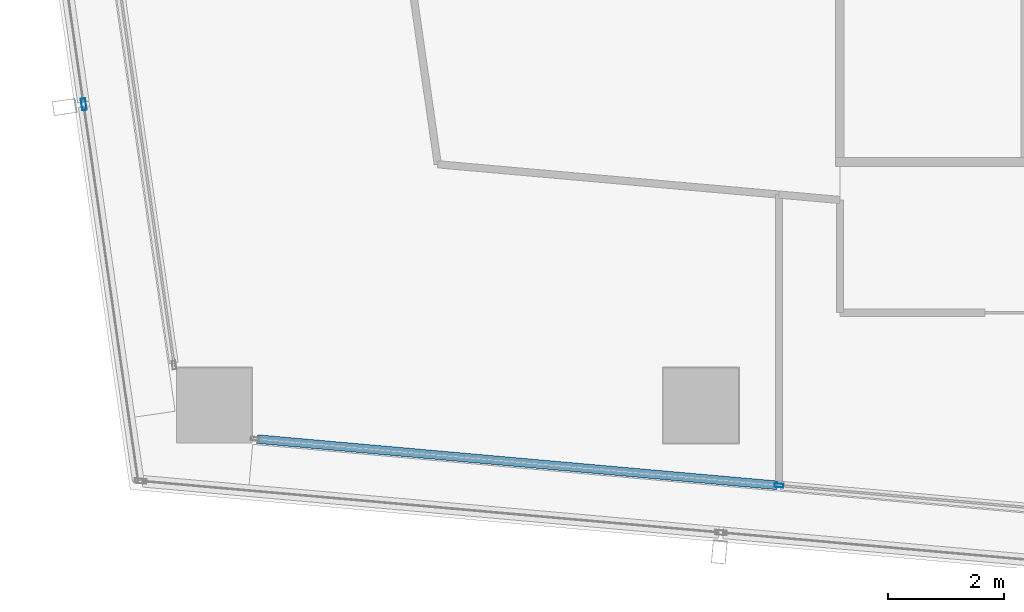
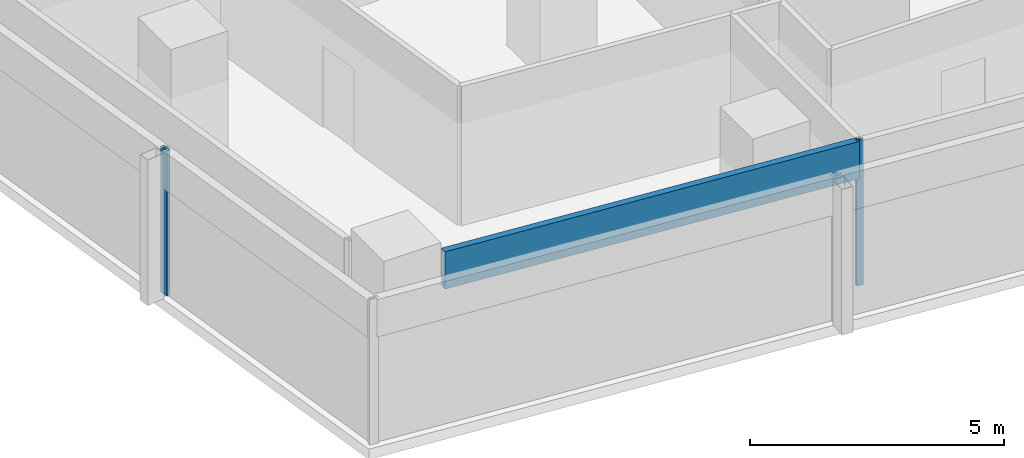
# One storey, part 3 of 30: 3 members, 2 elements without a shape of their own.
"""IFC4 building model written with IfcOpenShell, lengths in metres."""

from ifc_helpers import new_model, si_unit, direction, frame, origin, origin_2d, place, context, subcontext, project, spatial, hollow_rectangle, extrude, material, material_profile, profile_set, type_object, element, aggregate, save


model = new_model("IFC4")

# Units and contexts
model_context = context("Model", 3, precision=1e-05, world=origin(), true_north=direction((0.0, 1.0)))
body_context = subcontext(model_context, "Body", "Model", "MODEL_VIEW")
ifc_project = project(units=[si_unit("LENGTHUNIT", "METRE"), si_unit("AREAUNIT", "SQUARE_METRE"), si_unit("VOLUMEUNIT", "CUBIC_METRE"), si_unit("PLANEANGLEUNIT", "RADIAN"), si_unit("MASSUNIT", "GRAM", prefix="KILO")], contexts=[model_context])

# Site, building, storey
site_placement = place(None, origin())
site = spatial("IfcSite", under=ifc_project, at=site_placement, CompositionType="ELEMENT")
building_placement = place(site_placement, origin())
building = spatial("IfcBuilding", under=site, at=building_placement, Name="Rekha Terrace Tower", CompositionType="ELEMENT")
storey_placement = place(building_placement, frame((0.0, 0.0, 265.10009765625)))
storey = spatial("IfcBuildingStorey", under=building, at=storey_placement, Name="L67", CompositionType="ELEMENT", Elevation=265.10009765625)

# Curtain wall, members
ifc_material_1 = material(Name="Aluminium framing", Category="aluminium")
curtain_wall_type_1 = type_object("IfcCurtainWallType", Name="CW1 double skin inner glazing", PredefinedType="USERDEFINED", material=ifc_material_1)
curtain_wall_1_placement = place(storey_placement, origin())
curtain_wall_1 = element("IfcCurtainWall", 1, at=curtain_wall_1_placement, inside=storey, type_object=curtain_wall_type_1, Name="CW1 double skin inner glazing", ObjectType="DOUBLE SKIN INNER GLAZING", PredefinedType="USERDEFINED")
ifc_material_2 = material(Name="Aluminium mullion section", Category="aluminium")
ifc_material_profile_1 = material_profile(ifc_material_2, hollow_rectangle(XDim=0.06494140625, YDim=0.14990234375, WallThickness=0.00390625, at=origin_2d()), Name="AL RHS 65x150")
ifc_profile_set_1 = profile_set([ifc_material_profile_1], Name="Aluminium mullion section")
member_type_1 = type_object("IfcMemberType", Name="CW1 mullion RHS 65 x 150", PredefinedType="MULLION", material=ifc_profile_set_1)
member_1_placement = place(storey_placement, frame((18.1494140625, 15.4189453125, 0.0), z_axis=(0.0, 0.0, 1.0), x_axis=(0.088522441405, 0.996074182663, 0.0)))
member_1 = element("IfcMember", 2, at=member_1_placement, type_object=member_type_1, Name="CW1 mullion 2", PredefinedType="MULLION", context=body_context, shape_type="SweptSolid", body=[
    extrude(hollow_rectangle(XDim=0.06494140625, YDim=0.14990234375, WallThickness=0.00390625, at=origin_2d()), origin(), (0.0, 0.0, 1.0), 3.5),
])
ifc_material_3 = material(Name="Insulated aluminium spandrel box", Category="aluminium")
ifc_material_profile_2 = material_profile(ifc_material_3, hollow_rectangle(XDim=0.14990234375, YDim=0.89990234375, WallThickness=0.0029296875, at=origin_2d()), Name="AL SPANDREL BOX 150x900")
ifc_profile_set_2 = profile_set([ifc_material_profile_2], Name="Insulated aluminium spandrel box")
member_type_2 = type_object("IfcMemberType", Name="CW1 spandrel transom 150 x 900", PredefinedType="USERDEFINED", material=ifc_profile_set_2)
member_2_placement = place(storey_placement, frame((9.1416015625, 16.219482421875, 3.0498046875), z_axis=(0.996072428294, -0.088542179732, 0.0), x_axis=(0.088542179732, 0.996072428294, 0.0)))
member_2 = element("IfcMember", 3, at=member_2_placement, type_object=member_type_2, Name="CW1 spandrel transom 1", ObjectType="TRANSOM", PredefinedType="USERDEFINED", context=body_context, shape_type="SweptSolid", body=[
    extrude(hollow_rectangle(XDim=0.14990234375, YDim=0.89990234375, WallThickness=0.0029296875, at=origin_2d()), origin(), (0.0, 0.0, 1.0), 9.010986328125),
])
aggregate(curtain_wall_1, [member_1, member_2])

# Curtain wall, member
curtain_wall_type_2 = type_object("IfcCurtainWallType", Name="CW2 double skin outer glazing", PredefinedType="USERDEFINED", material=ifc_material_1)
curtain_wall_2_placement = place(storey_placement, origin())
curtain_wall_2 = element("IfcCurtainWall", 4, at=curtain_wall_2_placement, inside=storey, type_object=curtain_wall_type_2, Name="CW2 double skin outer glazing", ObjectType="DOUBLE SKIN OUTER GLAZING", PredefinedType="USERDEFINED")
ifc_material_profile_3 = material_profile(ifc_material_2, hollow_rectangle(XDim=0.080078125, YDim=0.199951171875, WallThickness=0.00390625, at=origin_2d()), Name="AL RHS 80x200")
ifc_profile_set_3 = profile_set([ifc_material_profile_3], Name="Aluminium mullion section")
member_type_3 = type_object("IfcMemberType", Name="CW2 mullion RHS 80 x 200", PredefinedType="MULLION", material=ifc_profile_set_3)
member_3_placement = place(storey_placement, frame((6.150634765625, 21.99658203125, 0.0), z_axis=(0.0, 0.0, 1.0), x_axis=(0.989707031389, 0.143108322678, 0.0)))
member_3 = element("IfcMember", 5, at=member_3_placement, type_object=member_type_3, Name="CW2 mullion 2", PredefinedType="MULLION", context=body_context, shape_type="SweptSolid", body=[
    extrude(hollow_rectangle(XDim=0.080078125, YDim=0.199951171875, WallThickness=0.00390625, at=origin_2d()), origin(), (0.0, 0.0, 1.0), 3.5),
])
aggregate(curtain_wall_2, [member_3])

save(model, "model.ifc")
